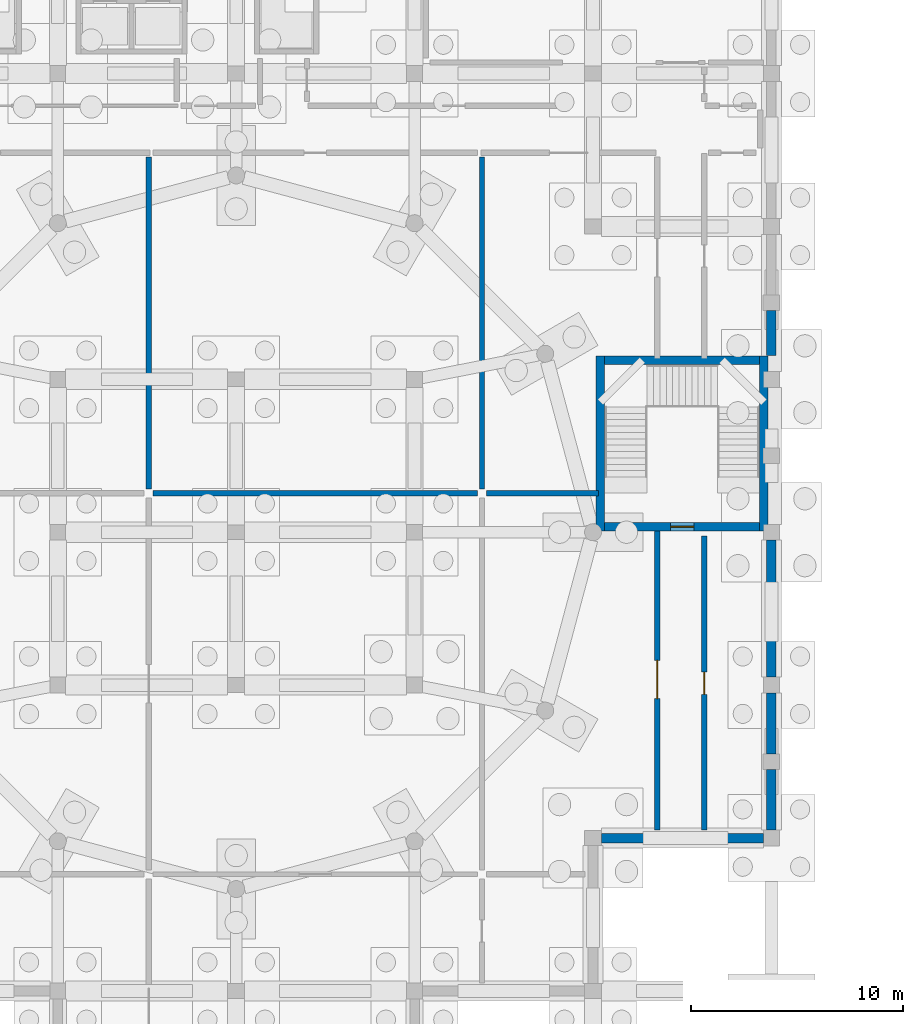
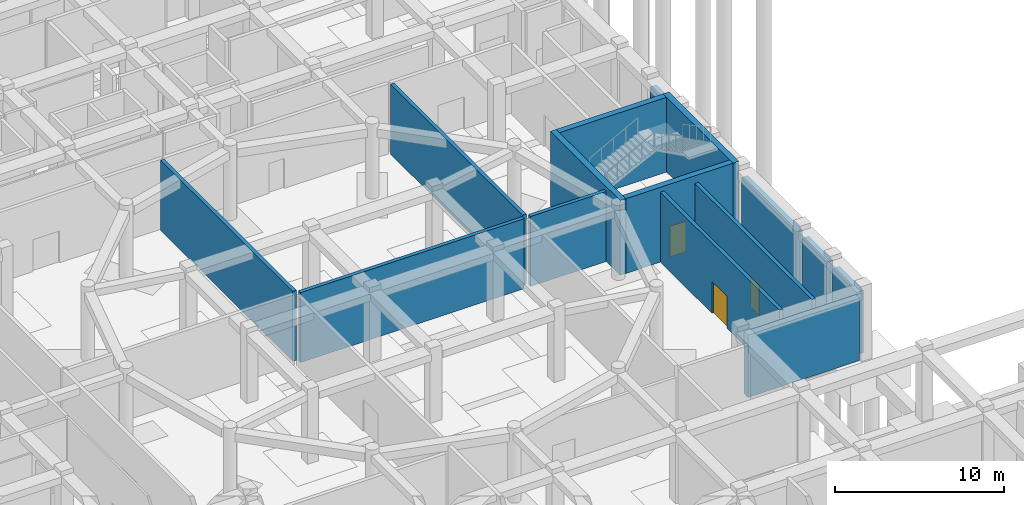
# One storey, part 21 of 32: 15 walls, 3 doors, 3 openings.
"""IFC4 building model written with IfcOpenShell, lengths in metres."""

from ifc_helpers import new_model, si_unit, derived_unit, direction, frame, frame_2d, origin, place, context, subcontext, project, spatial, rectangle, extrude, material, layer, layer_set, type_object, element, fill, save


model = new_model("IFC4")

# Units and contexts
model_context = context("Model", 3, precision=1e-05, world=origin(), true_north=direction((0.0, 1.0)))
body_context = subcontext(model_context, "Body", "Model", "MODEL_VIEW")
ifc_project = project(units=[si_unit("LENGTHUNIT", "METRE"), si_unit("AREAUNIT", "SQUARE_METRE"), si_unit("VOLUMEUNIT", "CUBIC_METRE"), si_unit("PLANEANGLEUNIT", "RADIAN"), si_unit("MASSUNIT", "GRAM", prefix="KILO"), derived_unit("THERMALTRANSMITTANCEUNIT", [(si_unit("POWERUNIT", "WATT"), 1), (si_unit("LENGTHUNIT", "METRE"), -2), (si_unit("THERMODYNAMICTEMPERATUREUNIT", "KELVIN"), -1)])], contexts=[model_context])

# Site, building, storey
site_placement = place(None, origin())
site = spatial("IfcSite", under=ifc_project, at=site_placement, CompositionType="ELEMENT")
building_placement = place(site_placement, origin())
building = spatial("IfcBuilding", under=site, at=building_placement, Name="Veybourne Emporium", CompositionType="ELEMENT")
storey_placement = place(building_placement, frame((0.0, 0.0, -5.39990234375)))
storey = spatial("IfcBuildingStorey", under=building, at=storey_placement, Name="B1", CompositionType="ELEMENT", Elevation=-5.39990234375)

# Walls
ifc_material_1 = material(Name="Concrete C40/50", Category="concrete")
ifc_layer_1 = layer(ifc_material_1, 0.449951171875)
ifc_layer_set_1 = layer_set([ifc_layer_1], Name="Concrete C40/50")
wall_type_1 = type_object("IfcWallType", Name="ExtWall_RW-01", PredefinedType="USERDEFINED", material=ifc_layer_set_1)
wall_1_placement = place(storey_placement, frame((100.425048828125, 36.0, 0.0), z_axis=(0.0, 0.0, 1.0), x_axis=(-1.0, 0.0, 0.0)))
element("IfcWall", 1, at=wall_1_placement, inside=storey, type_object=wall_type_1, Name="Basement perimeter retaining wall 054", ObjectType="RETAININGWALL", PredefinedType="USERDEFINED", context=body_context, shape_type="SweptSolid", body=[
    extrude(rectangle(XDim=7.625, YDim=0.449951171875, at=frame_2d((3.8125, 0.0))), origin(), (0.0, 0.0, 1.0), 4.5),
])
for number, where, z_axis, x_axis, name in (
    (2, (100.800048828125, 42.824951171875, 0.0), (0.0, 0.0, 1.0), (0.0, -1.0, 0.0), "Basement perimeter retaining wall 055A"),
    (3, (100.800048828125, 39.22998046875, 0.0), (0.0, 0.0, 1.0), (0.0, -1.0, 0.0), "Basement perimeter retaining wall 055B"),
):
    element("IfcWall", number, at=place(storey_placement, frame(where, z_axis=z_axis, x_axis=x_axis)), inside=storey, type_object=wall_type_1, Name=name, ObjectType="RETAININGWALL", PredefinedType="USERDEFINED", context=body_context, shape_type="SweptSolid", body=[
        extrude(rectangle(XDim=2.85498046875, YDim=0.449951171875, at=frame_2d((1.427490234375, 0.0))), origin(), (0.0, 0.0, 1.0), 4.5),
    ])
wall_2_placement = place(storey_placement, frame((100.800048828125, 50.02490234375, 0.0), z_axis=(0.0, 0.0, 1.0), x_axis=(0.0, -1.0, 0.0)))
element("IfcWall", 4, at=wall_2_placement, inside=storey, type_object=wall_type_1, Name="Basement perimeter retaining wall 056", ObjectType="RETAININGWALL", PredefinedType="USERDEFINED", context=body_context, shape_type="SweptSolid", body=[
    extrude(rectangle(XDim=6.449951171875, YDim=0.449951171875, at=frame_2d((3.22509765625, 0.0))), origin(), (0.0, 0.0, 1.0), 4.5),
])
wall_3_placement = place(storey_placement, frame((100.800048828125, 60.830078125, 0.0), z_axis=(0.0, 0.0, 1.0), x_axis=(0.0, -1.0, 0.0)))
element("IfcWall", 5, at=wall_3_placement, inside=storey, type_object=wall_type_1, Name="Basement perimeter retaining wall 058B", ObjectType="RETAININGWALL", PredefinedType="USERDEFINED", context=body_context, shape_type="SweptSolid", body=[
    extrude(rectangle(XDim=2.110107421875, YDim=0.449951171875, at=frame_2d((1.05517578125, 0.0))), origin(), (0.0, 0.0, 1.0), 4.5),
])

# Wall, opening, door
ifc_layer_2 = layer(ifc_material_1, 0.39990234375)
ifc_layer_set_2 = layer_set([ifc_layer_2], Name="Concrete C40/50")
wall_type_2 = type_object("IfcWallType", Name="IntWall_CW-01", PredefinedType="SHEAR", material=ifc_layer_set_2)
wall_4_placement = place(storey_placement, frame((100.25, 50.64990234375, 0.0), z_axis=(0.0, 0.0, 1.0), x_axis=(-1.0, 0.0, 0.0)))
wall_4 = element("IfcWall", 6, at=wall_4_placement, inside=storey, type_object=wall_type_2, Name="Core stair ST-07 south shear wall (B1)", PredefinedType="SHEAR", context=body_context, shape_type="SweptSolid", body=[
    extrude(rectangle(XDim=7.300048828125, YDim=0.39990234375, at=frame_2d((3.64990234375, 0.0))), origin(), (0.0, 0.0, 1.0), 5.39990234375),
])
opening_1_placement = place(wall_4_placement, frame((3.10009765625, 0.0, 0.0)))
opening_1 = element("IfcOpeningElement", 7, at=opening_1_placement, cuts=wall_4, Name="Opening FD-01", PredefinedType="OPENING", context=body_context, shape_type="SweptSolid", body=[
    extrude(rectangle(XDim=1.10009765625, YDim=2.199951171875, at=frame_2d((0.550048828125, 1.10009765625))), frame((0.0, 0.219970703125, 0.0), z_axis=(0.0, -1.0, 0.0), x_axis=(1.0, 0.0, 0.0)), (0.0, 0.0, 1.0), 0.43994140625),
])
ifc_material_2 = material(Name="Patinated Architectural Bronze", Category="bronze")
door_type_1 = type_object("IfcDoorType", Name="FireDoor_FD-01", OperationType="NOTDEFINED", PredefinedType="DOOR", material=ifc_material_2)
door_1_placement = place(opening_1_placement, origin())
door_1 = element("IfcDoor", 8, at=door_1_placement, inside=storey, type_object=door_type_1, Name="Stair ST-07 fire door (B1)", OperationType="SINGLE_SWING_LEFT", OverallHeight=2.199951171875, OverallWidth=1.10009765625, PredefinedType="DOOR", context=body_context, shape_type="SweptSolid", body=[
    extrude(rectangle(XDim=1.10009765625, YDim=2.199951171875, at=frame_2d((0.550048828125, 1.10009765625))), frame((0.0, 0.02490234375, 0.0), z_axis=(0.0, -1.0, 0.0), x_axis=(1.0, 0.0, 0.0)), (0.0, 0.0, 1.0), 0.050048828125),
])
fill(opening_1, door_1)

# Walls
wall_5_placement = place(storey_placement, frame((92.949951171875, 58.5, 0.0), z_axis=(0.0, 0.0, 1.0), x_axis=(1.0, 0.0, 0.0)))
element("IfcWall", 9, at=wall_5_placement, inside=storey, type_object=wall_type_2, Name="Core stair ST-07 north shear wall (B1)", PredefinedType="SHEAR", context=body_context, shape_type="SweptSolid", body=[
    extrude(rectangle(XDim=7.300048828125, YDim=0.39990234375, at=frame_2d((3.64990234375, 0.0))), origin(), (0.0, 0.0, 1.0), 5.39990234375),
])
for number, where, z_axis, x_axis, name in (
    (10, (92.75, 58.699951171875, 0.0), (0.0, 0.0, 1.0), (0.0, -1.0, 0.0), "Core stair ST-07 west shear wall (B1)"),
    (11, (100.449951171875, 50.449951171875, 0.0), (0.0, 0.0, 1.0), (0.0, 1.0, 0.0), "Core stair ST-07 east shear wall (B1)"),
):
    element("IfcWall", number, at=place(storey_placement, frame(where, z_axis=z_axis, x_axis=x_axis)), inside=storey, type_object=wall_type_2, Name=name, PredefinedType="SHEAR", context=body_context, shape_type="SweptSolid", body=[
        extrude(rectangle(XDim=8.25, YDim=0.39990234375, at=frame_2d((4.125, 0.0))), origin(), (0.0, 0.0, 1.0), 5.39990234375),
    ])

# Wall, opening, door
ifc_material_3 = material(Name="Concrete C32/40", Category="concrete")
ifc_layer_3 = layer(ifc_material_3, 0.25)
ifc_layer_set_3 = layer_set([ifc_layer_3], Name="Concrete C32/40")
wall_type_3 = type_object("IfcWallType", Name="IntWall_FW-01", PredefinedType="SOLIDWALL", material=ifc_layer_set_3)
wall_6_placement = place(storey_placement, frame((95.419921875, 36.3701171875, 0.0), z_axis=(0.0, 0.0, 1.0), x_axis=(0.0, 1.0, 0.0)))
wall_6 = element("IfcWall", 12, at=wall_6_placement, inside=storey, type_object=wall_type_3, Name="B1 interior partition FW-01 #024", PredefinedType="SOLIDWALL", context=body_context, shape_type="SweptSolid", body=[
    extrude(rectangle(XDim=14.18994140625, YDim=0.25, at=frame_2d((7.094970703125, 0.0))), origin(), (0.0, 0.0, 1.0), 5.0498046875),
])
opening_2_placement = place(wall_6_placement, frame((6.195068359375, 0.0, 0.0)))
opening_2 = element("IfcOpeningElement", 13, at=opening_2_placement, cuts=wall_6, Name="Opening FD-03", PredefinedType="OPENING", context=body_context, shape_type="SweptSolid", body=[
    extrude(rectangle(XDim=1.800048828125, YDim=2.300048828125, at=frame_2d((0.89990234375, 1.14990234375))), frame((0.0, 0.14501953125, 0.0), z_axis=(0.0, -1.0, 0.0), x_axis=(1.0, 0.0, 0.0)), (0.0, 0.0, 1.0), 0.2900390625),
])
door_type_2 = type_object("IfcDoorType", Name="FireDoor_FD-03", OperationType="DOUBLE_DOOR_SINGLE_SWING", PredefinedType="DOOR", material=ifc_material_2)
door_2_placement = place(opening_2_placement, origin())
door_2 = element("IfcDoor", 14, at=door_2_placement, inside=storey, type_object=door_type_2, Name="B1 interior door FD-03 (PART-B1-024)", OperationType="DOUBLE_DOOR_SINGLE_SWING", OverallHeight=2.300048828125, OverallWidth=1.800048828125, PredefinedType="DOOR", context=body_context, shape_type="SweptSolid", body=[
    extrude(rectangle(XDim=1.800048828125, YDim=2.300048828125, at=frame_2d((0.89990234375, 1.14990234375))), frame((0.0, 0.02490234375, 0.0), z_axis=(0.0, -1.0, 0.0), x_axis=(1.0, 0.0, 0.0)), (0.0, 0.0, 1.0), 0.050048828125),
])
fill(opening_2, door_2)

wall_7_placement = place(storey_placement, frame((97.6298828125, 36.3701171875, 0.0), z_axis=(0.0, 0.0, 1.0), x_axis=(0.0, 1.0, 0.0)))
wall_7 = element("IfcWall", 15, at=wall_7_placement, inside=storey, type_object=wall_type_3, Name="B1 interior partition FW-01 #025", PredefinedType="SOLIDWALL", context=body_context, shape_type="SweptSolid", body=[
    extrude(rectangle(XDim=13.84130859375, YDim=0.25, at=frame_2d((6.920654296875, 0.0))), origin(), (0.0, 0.0, 1.0), 5.0498046875),
])
opening_3_placement = place(wall_7_placement, frame((6.395751953125, 0.0, 0.0)))
opening_3 = element("IfcOpeningElement", 16, at=opening_3_placement, cuts=wall_7, Name="Opening FD-02", PredefinedType="OPENING", context=body_context, shape_type="SweptSolid", body=[
    extrude(rectangle(XDim=1.050048828125, YDim=2.14990234375, at=frame_2d((0.52490234375, 1.074951171875))), frame((0.0, 0.14501953125, 0.0), z_axis=(0.0, -1.0, 0.0), x_axis=(1.0, 0.0, 0.0)), (0.0, 0.0, 1.0), 0.2900390625),
])
door_type_3 = type_object("IfcDoorType", Name="FireDoor_FD-02", OperationType="NOTDEFINED", PredefinedType="DOOR", material=ifc_material_2)
door_3_placement = place(opening_3_placement, origin())
door_3 = element("IfcDoor", 17, at=door_3_placement, inside=storey, type_object=door_type_3, Name="B1 interior door FD-02 (PART-B1-025)", OperationType="SINGLE_SWING_RIGHT", OverallHeight=2.14990234375, OverallWidth=1.050048828125, PredefinedType="DOOR", context=body_context, shape_type="SweptSolid", body=[
    extrude(rectangle(XDim=1.050048828125, YDim=2.14990234375, at=frame_2d((0.52490234375, 1.074951171875))), frame((0.0, 0.02490234375, 0.0), z_axis=(0.0, -1.0, 0.0), x_axis=(1.0, 0.0, 0.0)), (0.0, 0.0, 1.0), 0.050048828125),
])
fill(opening_3, door_3)

# Walls
for number, where, z_axis, x_axis, name in (
    (18, (71.47998046875, 52.43994140625, 0.0), (0.0, 0.0, 1.0), (0.0, 1.0, 0.0), "B1 interior partition FW-01 #142"),
    (19, (87.169921875, 52.43994140625, 0.0), (0.0, 0.0, 1.0), (0.0, 1.0, 0.0), "B1 interior partition FW-01 #143"),
):
    element("IfcWall", number, at=place(storey_placement, frame(where, z_axis=z_axis, x_axis=x_axis)), inside=storey, type_object=wall_type_3, Name=name, PredefinedType="SOLIDWALL", context=body_context, shape_type="SweptSolid", body=[
        extrude(rectangle(XDim=15.6201171875, YDim=0.25, at=frame_2d((7.81005859375, 0.0))), origin(), (0.0, 0.0, 1.0), 5.0498046875),
    ])
wall_8_placement = place(storey_placement, frame((71.68994140625, 52.22998046875, 0.0), z_axis=(0.0, 0.0, 1.0), x_axis=(1.0, 0.0, 0.0)))
element("IfcWall", 20, at=wall_8_placement, inside=storey, type_object=wall_type_3, Name="B1 interior partition FW-01 #149", PredefinedType="SOLIDWALL", context=body_context, shape_type="SweptSolid", body=[
    extrude(rectangle(XDim=15.27001953125, YDim=0.25, at=frame_2d((7.635009765625, 0.0))), origin(), (0.0, 0.0, 1.0), 5.0498046875),
])
wall_9_placement = place(storey_placement, frame((87.3798828125, 52.22998046875, 0.0), z_axis=(0.0, 0.0, 1.0), x_axis=(1.0, 0.0, 0.0)))
element("IfcWall", 21, at=wall_9_placement, inside=storey, type_object=wall_type_3, Name="B1 interior partition FW-01 #165", PredefinedType="SOLIDWALL", context=body_context, shape_type="SweptSolid", body=[
    extrude(rectangle(XDim=5.280029296875, YDim=0.25, at=frame_2d((2.64013671875, 0.0))), origin(), (0.0, 0.0, 1.0), 5.0498046875),
])

save(model, "model.ifc")
